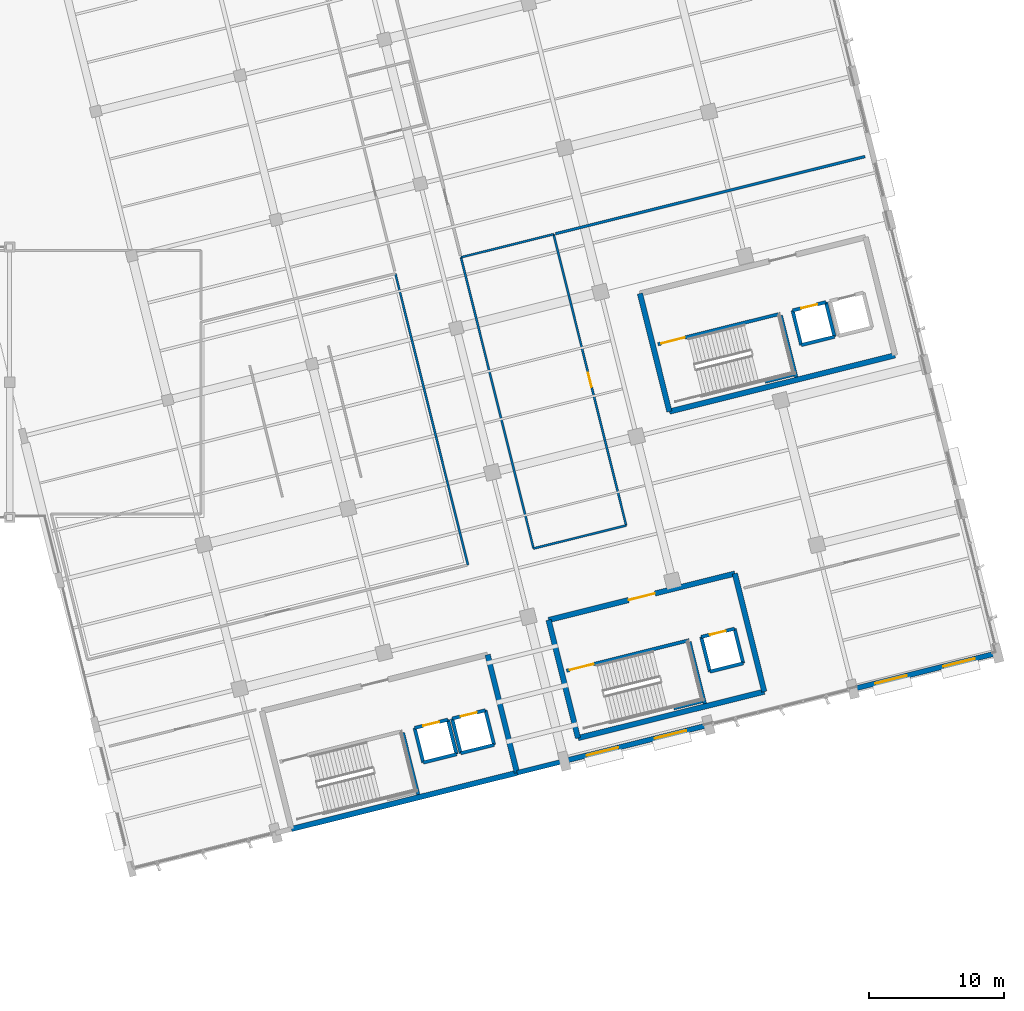
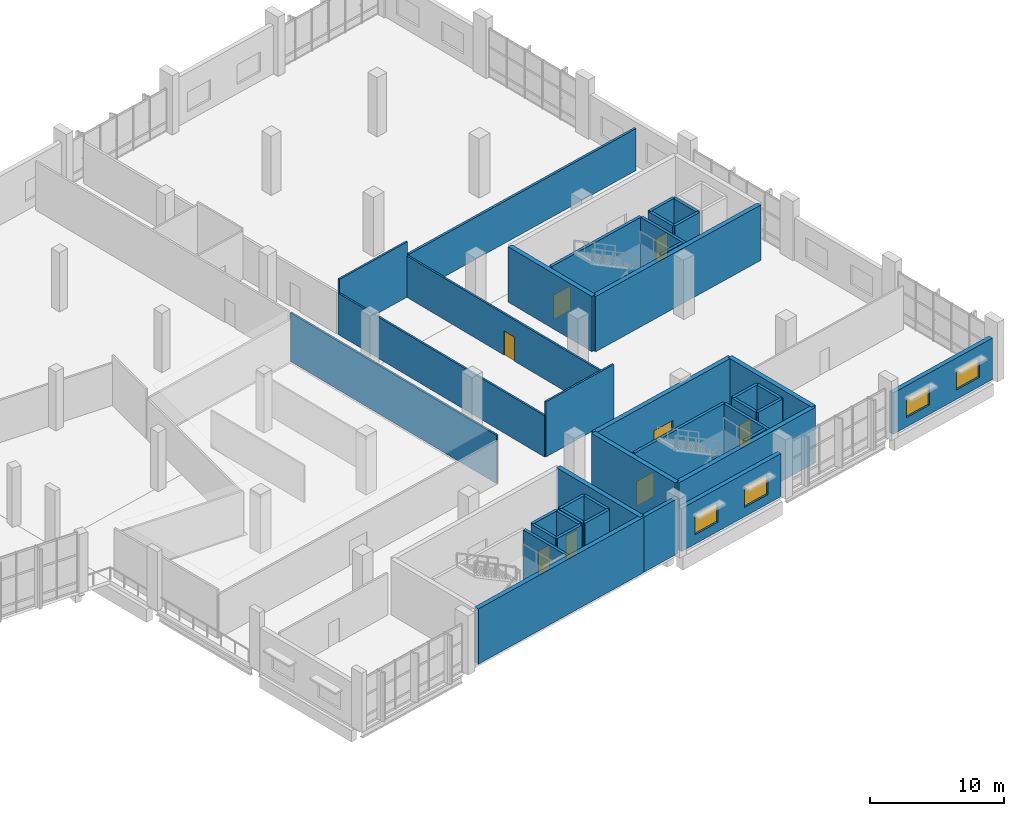
# One storey, part 144 of 176: 40 walls, 8 doors, 4 windows, 12 openings.
"""IFC4 building model written with IfcOpenShell, lengths in metres."""

from ifc_helpers import new_model, si_unit, direction, frame, frame_2d, origin, place, context, subcontext, project, spatial, rectangle, extrude, material, layer, layer_set, type_object, element, fill, save


model = new_model("IFC4")

# Units and contexts
model_context = context("Model", 3, precision=1e-05, world=origin(), true_north=direction((0.0, 1.0)))
body_context = subcontext(model_context, "Body", "Model", "MODEL_VIEW")
ifc_project = project(units=[si_unit("LENGTHUNIT", "METRE"), si_unit("AREAUNIT", "SQUARE_METRE"), si_unit("VOLUMEUNIT", "CUBIC_METRE"), si_unit("PLANEANGLEUNIT", "RADIAN"), si_unit("MASSUNIT", "GRAM", prefix="KILO")], contexts=[model_context])

# Site, building, storey
site_placement = place(None, origin())
site = spatial("IfcSite", under=ifc_project, at=site_placement, CompositionType="ELEMENT")
building_placement = place(site_placement, origin())
building = spatial("IfcBuilding", under=site, at=building_placement, Name="Khorjan Park Terminus", CompositionType="ELEMENT")
storey_placement = place(building_placement, frame((0.0, 0.0, 6.0)))
storey = spatial("IfcBuildingStorey", under=building, at=storey_placement, Name="L01", CompositionType="ELEMENT", Elevation=6.0)

# Walls
ifc_material_1 = material(Name="Concrete C50/60", Category="concrete")
ifc_layer_1 = layer(ifc_material_1, 0.4)
ifc_layer_set_1 = layer_set([ifc_layer_1], Name="Concrete C50/60")
wall_type_1 = type_object("IfcWallType", Name="CW-40", PredefinedType="SHEAR", material=ifc_layer_set_1)
wall_1_placement = place(storey_placement, frame((177.8376, 4.9514, 0.0), z_axis=(0.0, 0.0, 1.0), x_axis=(0.970295179998, 0.241924086589, 0.0)))
element("IfcWall", 1, at=wall_1_placement, inside=storey, type_object=wall_type_1, Name="Operations West Firefighting Core concrete shear wall CW-40 (L01-E1)", PredefinedType="SHEAR", context=body_context, shape_type="SweptSolid", body=[
    extrude(rectangle(XDim=17.2, YDim=0.4, at=frame_2d((8.6, 0.0))), origin(), (0.0, 0.0, 1.0), 5.05),
])
wall_2_placement = place(storey_placement, frame((194.5267, 9.1125, 0.0), z_axis=(0.0, 0.0, 1.0), x_axis=(-0.241923808098, 0.970295249435, 0.0)))
element("IfcWall", 2, at=wall_2_placement, inside=storey, type_object=wall_type_1, Name="Operations West Firefighting Core concrete shear wall CW-40 (L01-E2)", PredefinedType="SHEAR", context=body_context, shape_type="SweptSolid", body=[
    extrude(rectangle(XDim=8.9999, YDim=0.4, at=frame_2d((4.5, 0.0))), origin(), (0.0, 0.0, 1.0), 5.05),
])
wall_3_placement = place(storey_placement, frame((205.7973, 35.8328, 0.0), z_axis=(0.0, 0.0, 1.0), x_axis=(0.970295179998, 0.241924086589, 0.0)))
element("IfcWall", 3, at=wall_3_placement, inside=storey, type_object=wall_type_1, Name="Operations North-East Firefighting Core concrete shear wall CW-40 (L01-E1)", PredefinedType="SHEAR", context=body_context, shape_type="SweptSolid", body=[
    extrude(rectangle(XDim=17.2, YDim=0.4, at=frame_2d((8.6, 0.0))), origin(), (0.0, 0.0, 1.0), 5.05),
])
wall_4_placement = place(storey_placement, frame((203.62, 44.5655, 0.0), z_axis=(0.0, 0.0, 1.0), x_axis=(0.241921199913, -0.97029589973, 0.0)))
element("IfcWall", 4, at=wall_4_placement, inside=storey, type_object=wall_type_1, Name="Operations North-East Firefighting Core concrete shear wall CW-40 (L01-E4)", PredefinedType="SHEAR", context=body_context, shape_type="SweptSolid", body=[
    extrude(rectangle(XDim=9.0, YDim=0.4, at=frame_2d((4.5, 0.0))), origin(), (0.0, 0.0, 1.0), 5.05),
])
wall_5_placement = place(storey_placement, frame((199.0395, 11.6805, 0.0), z_axis=(0.0, 0.0, 1.0), x_axis=(0.970295578967, 0.241922486422, 0.0)))
element("IfcWall", 5, at=wall_5_placement, inside=storey, type_object=wall_type_1, Name="Operations Central Command Core concrete shear wall CW-40 (L01-E1)", PredefinedType="SHEAR", context=body_context, shape_type="SweptSolid", body=[
    extrude(rectangle(XDim=14.2, YDim=0.4, at=frame_2d((7.1, 0.0))), origin(), (0.0, 0.0, 1.0), 5.05),
])
wall_6_placement = place(storey_placement, frame((212.8177, 15.1158, 0.0), z_axis=(0.0, 0.0, 1.0), x_axis=(-0.241921199913, 0.97029589973, 0.0)))
element("IfcWall", 6, at=wall_6_placement, inside=storey, type_object=wall_type_1, Name="Operations Central Command Core concrete shear wall CW-40 (L01-E2)", PredefinedType="SHEAR", context=body_context, shape_type="SweptSolid", body=[
    extrude(rectangle(XDim=9.0, YDim=0.4, at=frame_2d((4.5, 0.0))), origin(), (0.0, 0.0, 1.0), 5.05),
])

# Wall, opening, door
wall_7_placement = place(storey_placement, frame((210.6404, 23.8485, 0.0), z_axis=(0.0, 0.0, 1.0), x_axis=(-0.970295578967, -0.241922486422, 0.0)))
wall_7 = element("IfcWall", 7, at=wall_7_placement, inside=storey, type_object=wall_type_1, Name="Operations Central Command Core concrete shear wall CW-40 (L01-E3)", PredefinedType="SHEAR", context=body_context, shape_type="SweptSolid", body=[
    extrude(rectangle(XDim=14.2, YDim=0.4, at=frame_2d((7.1, 0.0))), origin(), (0.0, 0.0, 1.0), 5.05),
])
opening_1_placement = place(wall_7_placement, frame((6.1, 0.0, 0.0)))
opening_1 = element("IfcOpeningElement", 8, at=opening_1_placement, cuts=wall_7, Name="Opening FD-20", PredefinedType="OPENING", context=body_context, shape_type="SweptSolid", body=[
    extrude(rectangle(XDim=2.0, YDim=2.3, at=frame_2d((1.0, 1.15))), frame((0.0, 0.21, 0.0), z_axis=(0.0, -1.0, 0.0), x_axis=(1.0, 0.0, 0.0)), (0.0, 0.0, 1.0), 0.42),
])
ifc_material_2 = material(Name="Fire-Rated Steel Double Door", Category="steel")
door_type_1 = type_object("IfcDoorType", Name="FD-20", OperationType="NOTDEFINED", PredefinedType="DOOR", material=ifc_material_2)
door_1_placement = place(opening_1_placement, origin())
door_1 = element("IfcDoor", 9, at=door_1_placement, inside=storey, type_object=door_type_1, Name="Operations Central Command Core fire-rated exit door FD-20 (L01)", OperationType="DOUBLE_DOOR_SINGLE_SWING", OverallHeight=2.3, OverallWidth=2.0, PredefinedType="DOOR", context=body_context, shape_type="SweptSolid", body=[
    extrude(rectangle(XDim=2.0, YDim=2.3, at=frame_2d((1.0, 1.15))), frame((0.0, 0.025, 0.0), z_axis=(0.0, -1.0, 0.0), x_axis=(1.0, 0.0, 0.0)), (0.0, 0.0, 1.0), 0.05),
])
fill(opening_1, door_1)

# Walls
wall_8_placement = place(storey_placement, frame((196.8622, 20.4132, 0.0), z_axis=(0.0, 0.0, 1.0), x_axis=(0.241921199913, -0.97029589973, 0.0)))
element("IfcWall", 10, at=wall_8_placement, inside=storey, type_object=wall_type_1, Name="Operations Central Command Core concrete shear wall CW-40 (L01-E4)", PredefinedType="SHEAR", context=body_context, shape_type="SweptSolid", body=[
    extrude(rectangle(XDim=9.0, YDim=0.4, at=frame_2d((4.5, 0.0))), origin(), (0.0, 0.0, 1.0), 5.05),
])
ifc_material_3 = material(Name="Pigmented Precast GRC & Concrete C40/50", Category="concrete")
ifc_layer_2 = layer(ifc_material_3, 0.35)
ifc_layer_set_2 = layer_set([ifc_layer_2], Name="Pigmented Precast GRC & Concrete C40/50")
wall_type_2 = type_object("IfcWallType", Name="EW-35", PredefinedType="STANDARD", material=ifc_layer_set_2)
wall_9_placement = place(storey_placement, frame((194.5267, 9.1125, 0.0), z_axis=(0.0, 0.0, 1.0), x_axis=(0.970297528922, 0.241914665466, 0.0)))
element("IfcWall", 11, at=wall_9_placement, inside=storey, type_object=wall_type_2, Name="External pigmented-GRC core infill wall EW-35 (EW-V5-K3P-L01-2)", PredefinedType="STANDARD", context=body_context, shape_type="SweptSolid", body=[
    extrude(rectangle(XDim=3.6, YDim=0.35, at=frame_2d((1.8, 0.0))), origin(), (0.0, 0.0, 1.0), 5.035),
])

# Wall, openings, windows
ifc_layer_3 = layer(ifc_material_3, 0.38)
ifc_layer_set_3 = layer_set([ifc_layer_3], Name="Pigmented Precast GRC & Concrete C40/50")
wall_type_3 = type_object("IfcWallType", Name="EW-38", PredefinedType="STANDARD", material=ifc_layer_set_3)
wall_10_placement = place(storey_placement, frame((198.3255, 10.0596, 0.0), z_axis=(0.0, 0.0, 1.0), x_axis=(0.970293766674, 0.241929755, 0.0)))
wall_10 = element("IfcWall", 12, at=wall_10_placement, inside=storey, type_object=wall_type_3, Name="External pigmented-GRC insulated wall EW-38 (EW-V5-S-L01-B04)", PredefinedType="STANDARD", context=body_context, shape_type="SweptSolid", body=[
    extrude(rectangle(XDim=10.37, YDim=0.38, at=frame_2d((5.185, 0.0))), origin(), (0.0, 0.0, 1.0), 3.925),
])
opening_2_placement = place(wall_10_placement, frame((1.3925, 0.0, 0.85)))
opening_2 = element("IfcOpeningElement", 13, at=opening_2_placement, cuts=wall_10, Name="Opening WN-24", PredefinedType="OPENING", context=body_context, shape_type="SweptSolid", body=[
    extrude(rectangle(XDim=2.4, YDim=1.8, at=frame_2d((1.2, 0.9))), frame((0.0, 0.2, 0.0), z_axis=(0.0, -1.0, 0.0), x_axis=(1.0, 0.0, 0.0)), (0.0, 0.0, 1.0), 0.4),
])
opening_3_placement = place(wall_10_placement, frame((6.5775, 0.0, 0.85)))
opening_3 = element("IfcOpeningElement", 14, at=opening_3_placement, cuts=wall_10, Name="Opening WN-24", PredefinedType="OPENING", context=body_context, shape_type="SweptSolid", body=[
    extrude(rectangle(XDim=2.4, YDim=1.8, at=frame_2d((1.2, 0.9))), frame((0.0, 0.2, 0.0), z_axis=(0.0, -1.0, 0.0), x_axis=(1.0, 0.0, 0.0)), (0.0, 0.0, 1.0), 0.4),
])
ifc_material_4 = material(Name="Anodized Bronze Aluminium & Low-E Glass", Category="aluminium")
window_type = type_object("IfcWindowType", Name="WN-24", PartitioningType="SINGLE_PANEL", PredefinedType="WINDOW", material=ifc_material_4)
window_1_placement = place(opening_2_placement, origin())
window_1 = element("IfcWindow", 15, at=window_1_placement, inside=storey, type_object=window_type, Name="Solar-control exterior window WN-24 (WN-EW-V5-S-L01-B04-1)", OverallHeight=1.8, OverallWidth=2.4, PartitioningType="SINGLE_PANEL", PredefinedType="WINDOW", context=body_context, shape_type="SweptSolid", body=[
    extrude(rectangle(XDim=2.4, YDim=1.8, at=frame_2d((1.2, 0.9))), frame((0.0, 0.03, 0.0), z_axis=(0.0, -1.0, 0.0), x_axis=(1.0, 0.0, 0.0)), (0.0, 0.0, 1.0), 0.06),
])
fill(opening_2, window_1)
window_2_placement = place(opening_3_placement, origin())
window_2 = element("IfcWindow", 16, at=window_2_placement, inside=storey, type_object=window_type, Name="Solar-control exterior window WN-24 (WN-EW-V5-S-L01-B04-2)", OverallHeight=1.8, OverallWidth=2.4, PartitioningType="SINGLE_PANEL", PredefinedType="WINDOW", context=body_context, shape_type="SweptSolid", body=[
    extrude(rectangle(XDim=2.4, YDim=1.8, at=frame_2d((1.2, 0.9))), frame((0.0, 0.03, 0.0), z_axis=(0.0, -1.0, 0.0), x_axis=(1.0, 0.0, 0.0)), (0.0, 0.0, 1.0), 0.06),
])
fill(opening_3, window_2)

wall_11_placement = place(storey_placement, frame((219.6717, 15.3819, 0.0), z_axis=(0.0, 0.0, 1.0), x_axis=(0.970298281521, 0.241911646842, 0.0)))
wall_11 = element("IfcWall", 17, at=wall_11_placement, inside=storey, type_object=wall_type_3, Name="External pigmented-GRC insulated wall EW-38 (EW-V5-S-L01-B06)", PredefinedType="STANDARD", context=body_context, shape_type="SweptSolid", body=[
    extrude(rectangle(XDim=10.3707, YDim=0.38, at=frame_2d((5.1853, 0.0))), origin(), (0.0, 0.0, 1.0), 3.775),
])
opening_4_placement = place(wall_11_placement, frame((1.3927, 0.0, 0.85)))
opening_4 = element("IfcOpeningElement", 18, at=opening_4_placement, cuts=wall_11, Name="Opening WN-24", PredefinedType="OPENING", context=body_context, shape_type="SweptSolid", body=[
    extrude(rectangle(XDim=2.4, YDim=1.8, at=frame_2d((1.2, 0.9))), frame((0.0, 0.2, 0.0), z_axis=(0.0, -1.0, 0.0), x_axis=(1.0, 0.0, 0.0)), (0.0, 0.0, 1.0), 0.4),
])
opening_5_placement = place(wall_11_placement, frame((6.578, 0.0, 0.85)))
opening_5 = element("IfcOpeningElement", 19, at=opening_5_placement, cuts=wall_11, Name="Opening WN-24", PredefinedType="OPENING", context=body_context, shape_type="SweptSolid", body=[
    extrude(rectangle(XDim=2.4, YDim=1.8, at=frame_2d((1.2, 0.9))), frame((0.0, 0.2, 0.0), z_axis=(0.0, -1.0, 0.0), x_axis=(1.0, 0.0, 0.0)), (0.0, 0.0, 1.0), 0.4),
])
window_3_placement = place(opening_4_placement, origin())
window_3 = element("IfcWindow", 20, at=window_3_placement, inside=storey, type_object=window_type, Name="Solar-control exterior window WN-24 (WN-EW-V5-S-L01-B06-1)", OverallHeight=1.8, OverallWidth=2.4, PartitioningType="SINGLE_PANEL", PredefinedType="WINDOW", context=body_context, shape_type="SweptSolid", body=[
    extrude(rectangle(XDim=2.4, YDim=1.8, at=frame_2d((1.2, 0.9))), frame((0.0, 0.03, 0.0), z_axis=(0.0, -1.0, 0.0), x_axis=(1.0, 0.0, 0.0)), (0.0, 0.0, 1.0), 0.06),
])
fill(opening_4, window_3)
window_4_placement = place(opening_5_placement, origin())
window_4 = element("IfcWindow", 21, at=window_4_placement, inside=storey, type_object=window_type, Name="Solar-control exterior window WN-24 (WN-EW-V5-S-L01-B06-2)", OverallHeight=1.8, OverallWidth=2.4, PartitioningType="SINGLE_PANEL", PredefinedType="WINDOW", context=body_context, shape_type="SweptSolid", body=[
    extrude(rectangle(XDim=2.4, YDim=1.8, at=frame_2d((1.2, 0.9))), frame((0.0, 0.03, 0.0), z_axis=(0.0, -1.0, 0.0), x_axis=(1.0, 0.0, 0.0)), (0.0, 0.0, 1.0), 0.06),
])
fill(opening_5, window_4)

# Wall
ifc_material_5 = material(Name="Insulated Metal-Stud Acoustic Partition")
ifc_layer_4 = layer(ifc_material_5, 0.16)
ifc_layer_set_4 = layer_set([ifc_layer_4], Name="Insulated Metal-Stud Acoustic Partition")
wall_type_4 = type_object("IfcWallType", Name="PT-16", PredefinedType="PARTITIONING", material=ifc_layer_set_4)
wall_12_placement = place(storey_placement, frame((185.5277, 46.0321, 0.0), z_axis=(0.0, 0.0, 1.0), x_axis=(0.241924022604, -0.970295195952, 0.0)))
element("IfcWall", 22, at=wall_12_placement, inside=storey, type_object=wall_type_4, Name="Interior acoustic partition PT-16 (L01-CNT)", PredefinedType="PARTITIONING", context=body_context, shape_type="SweptSolid", body=[
    extrude(rectangle(XDim=22.1999, YDim=0.16, at=frame_2d((11.0999, 0.0))), origin(), (0.0, 0.0, 1.0), 4.425),
])

# Wall, opening, door
wall_13_placement = place(storey_placement, frame((197.2295, 48.9497, 0.0), z_axis=(0.0, 0.0, 1.0), x_axis=(0.241924022604, -0.970295195952, 0.0)))
wall_13 = element("IfcWall", 23, at=wall_13_placement, inside=storey, type_object=wall_type_4, Name="Interior acoustic partition PT-16 (L01-TRN)", PredefinedType="PARTITIONING", context=body_context, shape_type="SweptSolid", body=[
    extrude(rectangle(XDim=22.1999, YDim=0.16, at=frame_2d((11.0999, 0.0))), origin(), (0.0, 0.0, 1.0), 3.775),
])
opening_6_placement = place(wall_13_placement, frame((10.55, 0.0, 0.0)))
opening_6 = element("IfcOpeningElement", 24, at=opening_6_placement, cuts=wall_13, Name="Opening ID-11", PredefinedType="OPENING", context=body_context, shape_type="SweptSolid", body=[
    extrude(rectangle(XDim=1.1, YDim=2.2, at=frame_2d((0.55, 1.1))), frame((0.0, 0.09, 0.0), z_axis=(0.0, -1.0, 0.0), x_axis=(1.0, 0.0, 0.0)), (0.0, 0.0, 1.0), 0.18),
])
ifc_material_6 = material(Name="Acoustic Hardwood Single Door", Category="wood")
door_type_2 = type_object("IfcDoorType", Name="ID-11", OperationType="NOTDEFINED", PredefinedType="DOOR", material=ifc_material_6)
door_2_placement = place(opening_6_placement, origin())
door_2 = element("IfcDoor", 25, at=door_2_placement, inside=storey, type_object=door_type_2, Name="Interior door ID-11 (L01-TRN)", OperationType="SINGLE_SWING_LEFT", OverallHeight=2.2, OverallWidth=1.1, PredefinedType="DOOR", context=body_context, shape_type="SweptSolid", body=[
    extrude(rectangle(XDim=1.1, YDim=2.2, at=frame_2d((0.55, 1.1))), frame((0.0, 0.025, 0.0), z_axis=(0.0, -1.0, 0.0), x_axis=(1.0, 0.0, 0.0)), (0.0, 0.0, 1.0), 0.05),
])
fill(opening_6, door_2)

# Walls
wall_14_placement = place(storey_placement, frame((202.6002, 27.4092, 0.0), z_axis=(0.0, 0.0, 1.0), x_axis=(-0.970294782603, -0.241925680435, 0.0)))
element("IfcWall", 26, at=wall_14_placement, inside=storey, type_object=wall_type_4, Name="Interior acoustic partition PT-16 (L01-TRN)", PredefinedType="PARTITIONING", context=body_context, shape_type="SweptSolid", body=[
    extrude(rectangle(XDim=7.06, YDim=0.16, at=frame_2d((3.53, 0.0))), origin(), (0.0, 0.0, 1.0), 5.03),
])
wall_15_placement = place(storey_placement, frame((195.7499, 25.7012, 0.0), z_axis=(0.0, 0.0, 1.0), x_axis=(-0.241924022604, 0.970295195952, 0.0)))
element("IfcWall", 27, at=wall_15_placement, inside=storey, type_object=wall_type_4, Name="Interior acoustic partition PT-16 (L01-TRN)", PredefinedType="PARTITIONING", context=body_context, shape_type="SweptSolid", body=[
    extrude(rectangle(XDim=22.1999, YDim=0.16, at=frame_2d((11.0999, 0.0))), origin(), (0.0, 0.0, 1.0), 3.775),
])
wall_16_placement = place(storey_placement, frame((190.3792, 47.2417, 0.0), z_axis=(0.0, 0.0, 1.0), x_axis=(0.970294782603, 0.241925680435, 0.0)))
element("IfcWall", 28, at=wall_16_placement, inside=storey, type_object=wall_type_4, Name="Interior acoustic partition PT-16 (L01-TRN)", PredefinedType="PARTITIONING", context=body_context, shape_type="SweptSolid", body=[
    extrude(rectangle(XDim=7.06, YDim=0.16, at=frame_2d((3.53, 0.0))), origin(), (0.0, 0.0, 1.0), 5.04),
])
ifc_material_7 = material(Name="Fire-Rated Acoustic Masonry & Drywall", Category="masonry")
ifc_layer_5 = layer(ifc_material_7, 0.2)
ifc_layer_set_5 = layer_set([ifc_layer_5], Name="Fire-Rated Acoustic Masonry & Drywall")
wall_type_5 = type_object("IfcWallType", Name="PT-20", PredefinedType="PARTITIONING", material=ifc_layer_set_5)
wall_17_placement = place(storey_placement, frame((220.2643, 54.6929, 0.0), z_axis=(0.0, 0.0, 1.0), x_axis=(-0.970295347685, -0.241923414039, 0.0)))
element("IfcWall", 29, at=wall_17_placement, inside=storey, type_object=wall_type_5, Name="Interior acoustic partition PT-20 (L01-AHU1)", PredefinedType="PARTITIONING", context=body_context, shape_type="SweptSolid", body=[
    extrude(rectangle(XDim=23.6, YDim=0.2, at=frame_2d((11.8, 0.0))), origin(), (0.0, 0.0, 1.0), 3.835),
])
ifc_material_8 = material(Name="Concrete C40/50", Category="concrete")
ifc_layer_6 = layer(ifc_material_8, 0.25)
ifc_layer_set_6 = layer_set([ifc_layer_6], Name="Concrete C40/50")
wall_type_6 = type_object("IfcWallType", Name="SW-25", PredefinedType="SOLIDWALL", material=ifc_layer_set_6)
wall_18_placement = place(storey_placement, frame((187.5883, 9.8663, 0.0), z_axis=(0.0, 0.0, 1.0), x_axis=(0.97029284861, 0.241933436994, 0.0)))
element("IfcWall", 30, at=wall_18_placement, inside=storey, type_object=wall_type_6, Name="Lift L05 concrete shaft wall SW-25 (L01-1)", PredefinedType="SOLIDWALL", context=body_context, shape_type="SweptSolid", body=[
    extrude(rectangle(XDim=2.54, YDim=0.25, at=frame_2d((1.27, 0.0))), origin(), (0.0, 0.0, 1.0), 5.05),
])
wall_19_placement = place(storey_placement, frame((190.0528, 10.4808, 0.0), z_axis=(0.0, 0.0, 1.0), x_axis=(-0.241938414856, 0.970291607413, 0.0)))
element("IfcWall", 31, at=wall_19_placement, inside=storey, type_object=wall_type_6, Name="Lift L05 concrete shaft wall SW-25 (L01-2)", PredefinedType="SOLIDWALL", context=body_context, shape_type="SweptSolid", body=[
    extrude(rectangle(XDim=2.6399, YDim=0.25, at=frame_2d((1.3199, 0.0))), origin(), (0.0, 0.0, 1.0), 5.05),
])

# Wall, opening, door
wall_20_placement = place(storey_placement, frame((189.4141, 13.0423, 0.0), z_axis=(0.0, 0.0, 1.0), x_axis=(-0.97029284861, -0.241933436994, 0.0)))
wall_20 = element("IfcWall", 32, at=wall_20_placement, inside=storey, type_object=wall_type_6, Name="Lift L05 concrete shaft wall SW-25 (L01-3)", PredefinedType="SOLIDWALL", context=body_context, shape_type="SweptSolid", body=[
    extrude(rectangle(XDim=2.54, YDim=0.25, at=frame_2d((1.27, 0.0))), origin(), (0.0, 0.0, 1.0), 5.05),
])
opening_7_placement = place(wall_20_placement, frame((0.67, 0.0, 0.0)))
opening_7 = element("IfcOpeningElement", 33, at=opening_7_placement, cuts=wall_20, Name="Opening LD-12", PredefinedType="OPENING", context=body_context, shape_type="SweptSolid", body=[
    extrude(rectangle(XDim=1.2, YDim=2.2, at=frame_2d((0.6, 1.1))), frame((0.0, 0.135, 0.0), z_axis=(0.0, -1.0, 0.0), x_axis=(1.0, 0.0, 0.0)), (0.0, 0.0, 1.0), 0.27),
])
ifc_material_9 = material(Name="Stainless-Steel Lift Landing Sliding Door", Category="steel")
door_type_3 = type_object("IfcDoorType", Name="LD-12", OperationType="NOTDEFINED", PredefinedType="DOOR", material=ifc_material_9)
door_3_placement = place(opening_7_placement, origin())
door_3 = element("IfcDoor", 34, at=door_3_placement, inside=storey, type_object=door_type_3, Name="Lift L05 sliding landing door LD-12 (L01)", OperationType="SLIDING_TO_LEFT", OverallHeight=2.2, OverallWidth=1.2, PredefinedType="DOOR", context=body_context, shape_type="SweptSolid", body=[
    extrude(rectangle(XDim=1.2, YDim=2.2, at=frame_2d((0.6, 1.1))), frame((0.0, 0.025, 0.0), z_axis=(0.0, -1.0, 0.0), x_axis=(1.0, 0.0, 0.0)), (0.0, 0.0, 1.0), 0.05),
])
fill(opening_7, door_3)

# Walls
wall_21_placement = place(storey_placement, frame((186.9496, 12.4278, 0.0), z_axis=(0.0, 0.0, 1.0), x_axis=(0.241938414856, -0.970291607413, 0.0)))
element("IfcWall", 35, at=wall_21_placement, inside=storey, type_object=wall_type_6, Name="Lift L05 concrete shaft wall SW-25 (L01-4)", PredefinedType="SOLIDWALL", context=body_context, shape_type="SweptSolid", body=[
    extrude(rectangle(XDim=2.6399, YDim=0.25, at=frame_2d((1.3199, 0.0))), origin(), (0.0, 0.0, 1.0), 5.05),
])
wall_22_placement = place(storey_placement, frame((190.3633, 10.5582, 0.0), z_axis=(0.0, 0.0, 1.0), x_axis=(0.97029284861, 0.241933436994, 0.0)))
element("IfcWall", 36, at=wall_22_placement, inside=storey, type_object=wall_type_6, Name="Lift L06 concrete shaft wall SW-25 (L01-1)", PredefinedType="SOLIDWALL", context=body_context, shape_type="SweptSolid", body=[
    extrude(rectangle(XDim=2.54, YDim=0.25, at=frame_2d((1.27, 0.0))), origin(), (0.0, 0.0, 1.0), 5.05),
])
wall_23_placement = place(storey_placement, frame((192.8278, 11.1727, 0.0), z_axis=(0.0, 0.0, 1.0), x_axis=(-0.241938414856, 0.970291607413, 0.0)))
element("IfcWall", 37, at=wall_23_placement, inside=storey, type_object=wall_type_6, Name="Lift L06 concrete shaft wall SW-25 (L01-2)", PredefinedType="SOLIDWALL", context=body_context, shape_type="SweptSolid", body=[
    extrude(rectangle(XDim=2.6399, YDim=0.25, at=frame_2d((1.3199, 0.0))), origin(), (0.0, 0.0, 1.0), 5.05),
])

# Wall, opening, door
wall_24_placement = place(storey_placement, frame((192.1891, 13.7342, 0.0), z_axis=(0.0, 0.0, 1.0), x_axis=(-0.97029284861, -0.241933436994, 0.0)))
wall_24 = element("IfcWall", 38, at=wall_24_placement, inside=storey, type_object=wall_type_6, Name="Lift L06 concrete shaft wall SW-25 (L01-3)", PredefinedType="SOLIDWALL", context=body_context, shape_type="SweptSolid", body=[
    extrude(rectangle(XDim=2.54, YDim=0.25, at=frame_2d((1.27, 0.0))), origin(), (0.0, 0.0, 1.0), 5.05),
])
opening_8_placement = place(wall_24_placement, frame((0.67, 0.0, 0.0)))
opening_8 = element("IfcOpeningElement", 39, at=opening_8_placement, cuts=wall_24, Name="Opening LD-12", PredefinedType="OPENING", context=body_context, shape_type="SweptSolid", body=[
    extrude(rectangle(XDim=1.2, YDim=2.2, at=frame_2d((0.6, 1.1))), frame((0.0, 0.135, 0.0), z_axis=(0.0, -1.0, 0.0), x_axis=(1.0, 0.0, 0.0)), (0.0, 0.0, 1.0), 0.27),
])
door_4_placement = place(opening_8_placement, origin())
door_4 = element("IfcDoor", 40, at=door_4_placement, inside=storey, type_object=door_type_3, Name="Lift L06 sliding landing door LD-12 (L01)", OperationType="SLIDING_TO_RIGHT", OverallHeight=2.2, OverallWidth=1.2, PredefinedType="DOOR", context=body_context, shape_type="SweptSolid", body=[
    extrude(rectangle(XDim=1.2, YDim=2.2, at=frame_2d((0.6, 1.1))), frame((0.0, 0.025, 0.0), z_axis=(0.0, -1.0, 0.0), x_axis=(1.0, 0.0, 0.0)), (0.0, 0.0, 1.0), 0.05),
])
fill(opening_8, door_4)

# Walls
wall_25_placement = place(storey_placement, frame((189.7246, 13.1197, 0.0), z_axis=(0.0, 0.0, 1.0), x_axis=(0.241938414856, -0.970291607413, 0.0)))
element("IfcWall", 41, at=wall_25_placement, inside=storey, type_object=wall_type_6, Name="Lift L06 concrete shaft wall SW-25 (L01-4)", PredefinedType="SOLIDWALL", context=body_context, shape_type="SweptSolid", body=[
    extrude(rectangle(XDim=2.6399, YDim=0.25, at=frame_2d((1.3199, 0.0))), origin(), (0.0, 0.0, 1.0), 5.05),
])
wall_26_placement = place(storey_placement, frame((215.548, 40.7477, 0.0), z_axis=(0.0, 0.0, 1.0), x_axis=(0.97029284861, 0.241933436994, 0.0)))
element("IfcWall", 42, at=wall_26_placement, inside=storey, type_object=wall_type_6, Name="Lift L07 concrete shaft wall SW-25 (L01-1)", PredefinedType="SOLIDWALL", context=body_context, shape_type="SweptSolid", body=[
    extrude(rectangle(XDim=2.54, YDim=0.25, at=frame_2d((1.27, 0.0))), origin(), (0.0, 0.0, 1.0), 5.05),
])
wall_27_placement = place(storey_placement, frame((218.0125, 41.3622, 0.0), z_axis=(0.0, 0.0, 1.0), x_axis=(-0.241938414856, 0.970291607413, 0.0)))
element("IfcWall", 43, at=wall_27_placement, inside=storey, type_object=wall_type_6, Name="Lift L07 concrete shaft wall SW-25 (L01-2)", PredefinedType="SOLIDWALL", context=body_context, shape_type="SweptSolid", body=[
    extrude(rectangle(XDim=2.6399, YDim=0.25, at=frame_2d((1.3199, 0.0))), origin(), (0.0, 0.0, 1.0), 5.05),
])

# Wall, opening, door
wall_28_placement = place(storey_placement, frame((217.3738, 43.9237, 0.0), z_axis=(0.0, 0.0, 1.0), x_axis=(-0.97029284861, -0.241933436994, 0.0)))
wall_28 = element("IfcWall", 44, at=wall_28_placement, inside=storey, type_object=wall_type_6, Name="Lift L07 concrete shaft wall SW-25 (L01-3)", PredefinedType="SOLIDWALL", context=body_context, shape_type="SweptSolid", body=[
    extrude(rectangle(XDim=2.54, YDim=0.25, at=frame_2d((1.27, 0.0))), origin(), (0.0, 0.0, 1.0), 5.05),
])
opening_9_placement = place(wall_28_placement, frame((0.67, 0.0, 0.0)))
opening_9 = element("IfcOpeningElement", 45, at=opening_9_placement, cuts=wall_28, Name="Opening LD-12", PredefinedType="OPENING", context=body_context, shape_type="SweptSolid", body=[
    extrude(rectangle(XDim=1.2, YDim=2.2, at=frame_2d((0.6, 1.1))), frame((0.0, 0.135, 0.0), z_axis=(0.0, -1.0, 0.0), x_axis=(1.0, 0.0, 0.0)), (0.0, 0.0, 1.0), 0.27),
])
door_5_placement = place(opening_9_placement, origin())
door_5 = element("IfcDoor", 46, at=door_5_placement, inside=storey, type_object=door_type_3, Name="Lift L07 sliding landing door LD-12 (L01)", OperationType="SLIDING_TO_LEFT", OverallHeight=2.2, OverallWidth=1.2, PredefinedType="DOOR", context=body_context, shape_type="SweptSolid", body=[
    extrude(rectangle(XDim=1.2, YDim=2.2, at=frame_2d((0.6, 1.1))), frame((0.0, 0.025, 0.0), z_axis=(0.0, -1.0, 0.0), x_axis=(1.0, 0.0, 0.0)), (0.0, 0.0, 1.0), 0.05),
])
fill(opening_9, door_5)

# Walls
wall_29_placement = place(storey_placement, frame((214.9093, 43.3092, 0.0), z_axis=(0.0, 0.0, 1.0), x_axis=(0.241938414856, -0.970291607413, 0.0)))
element("IfcWall", 47, at=wall_29_placement, inside=storey, type_object=wall_type_6, Name="Lift L07 concrete shaft wall SW-25 (L01-4)", PredefinedType="SOLIDWALL", context=body_context, shape_type="SweptSolid", body=[
    extrude(rectangle(XDim=2.6399, YDim=0.25, at=frame_2d((1.3199, 0.0))), origin(), (0.0, 0.0, 1.0), 5.05),
])
wall_30_placement = place(storey_placement, frame((208.7902, 16.5954, 0.0), z_axis=(0.0, 0.0, 1.0), x_axis=(0.97029284861, 0.241933436994, 0.0)))
element("IfcWall", 48, at=wall_30_placement, inside=storey, type_object=wall_type_6, Name="Lift L12 concrete shaft wall SW-25 (L01-1)", PredefinedType="SOLIDWALL", context=body_context, shape_type="SweptSolid", body=[
    extrude(rectangle(XDim=2.54, YDim=0.25, at=frame_2d((1.27, 0.0))), origin(), (0.0, 0.0, 1.0), 5.05),
])
wall_31_placement = place(storey_placement, frame((211.2547, 17.2099, 0.0), z_axis=(0.0, 0.0, 1.0), x_axis=(-0.241938414856, 0.970291607413, 0.0)))
element("IfcWall", 49, at=wall_31_placement, inside=storey, type_object=wall_type_6, Name="Lift L12 concrete shaft wall SW-25 (L01-2)", PredefinedType="SOLIDWALL", context=body_context, shape_type="SweptSolid", body=[
    extrude(rectangle(XDim=2.6399, YDim=0.25, at=frame_2d((1.3199, 0.0))), origin(), (0.0, 0.0, 1.0), 5.05),
])

# Wall, opening, door
wall_32_placement = place(storey_placement, frame((210.616, 19.7714, 0.0), z_axis=(0.0, 0.0, 1.0), x_axis=(-0.97029284861, -0.241933436994, 0.0)))
wall_32 = element("IfcWall", 50, at=wall_32_placement, inside=storey, type_object=wall_type_6, Name="Lift L12 concrete shaft wall SW-25 (L01-3)", PredefinedType="SOLIDWALL", context=body_context, shape_type="SweptSolid", body=[
    extrude(rectangle(XDim=2.54, YDim=0.25, at=frame_2d((1.27, 0.0))), origin(), (0.0, 0.0, 1.0), 5.05),
])
opening_10_placement = place(wall_32_placement, frame((0.67, 0.0, 0.0)))
opening_10 = element("IfcOpeningElement", 51, at=opening_10_placement, cuts=wall_32, Name="Opening LD-12", PredefinedType="OPENING", context=body_context, shape_type="SweptSolid", body=[
    extrude(rectangle(XDim=1.2, YDim=2.2, at=frame_2d((0.6, 1.1))), frame((0.0, 0.135, 0.0), z_axis=(0.0, -1.0, 0.0), x_axis=(1.0, 0.0, 0.0)), (0.0, 0.0, 1.0), 0.27),
])
door_6_placement = place(opening_10_placement, origin())
door_6 = element("IfcDoor", 52, at=door_6_placement, inside=storey, type_object=door_type_3, Name="Lift L12 sliding landing door LD-12 (L01)", OperationType="SLIDING_TO_LEFT", OverallHeight=2.2, OverallWidth=1.2, PredefinedType="DOOR", context=body_context, shape_type="SweptSolid", body=[
    extrude(rectangle(XDim=1.2, YDim=2.2, at=frame_2d((0.6, 1.1))), frame((0.0, 0.025, 0.0), z_axis=(0.0, -1.0, 0.0), x_axis=(1.0, 0.0, 0.0)), (0.0, 0.0, 1.0), 0.05),
])
fill(opening_10, door_6)

# Walls
wall_33_placement = place(storey_placement, frame((208.1515, 19.1569, 0.0), z_axis=(0.0, 0.0, 1.0), x_axis=(0.241938414856, -0.970291607413, 0.0)))
element("IfcWall", 53, at=wall_33_placement, inside=storey, type_object=wall_type_6, Name="Lift L12 concrete shaft wall SW-25 (L01-4)", PredefinedType="SOLIDWALL", context=body_context, shape_type="SweptSolid", body=[
    extrude(rectangle(XDim=2.6399, YDim=0.25, at=frame_2d((1.3199, 0.0))), origin(), (0.0, 0.0, 1.0), 5.05),
])
wall_34_placement = place(storey_placement, frame((187.2253, 7.4981, 0.0), z_axis=(0.0, 0.0, 1.0), x_axis=(-0.241911120435, 0.970298412763, 0.0)))
element("IfcWall", 54, at=wall_34_placement, inside=storey, type_object=wall_type_6, Name="Operations West Firefighting Core stairwell end bearing wall SW-25 (L01)", PredefinedType="SOLIDWALL", context=body_context, shape_type="SweptSolid", body=[
    extrude(rectangle(XDim=4.71, YDim=0.25, at=frame_2d((2.355, 0.0))), origin(), (0.0, 0.0, 1.0), 5.03),
])

# Wall, opening, door
wall_35_placement = place(storey_placement, frame((204.9479, 40.8102, 0.0), z_axis=(0.0, 0.0, 1.0), x_axis=(0.970297151331, 0.241916179943, 0.0)))
wall_35 = element("IfcWall", 55, at=wall_35_placement, inside=storey, type_object=wall_type_6, Name="Operations North-East Firefighting Core structural stairwell wall SW-25 (L01)", PredefinedType="SOLIDWALL", context=body_context, shape_type="SweptSolid", body=[
    extrude(rectangle(XDim=9.345, YDim=0.25, at=frame_2d((4.6725, 0.0))), origin(), (0.0, 0.0, 1.0), 5.03),
])
opening_11_placement = place(wall_35_placement, frame((0.25, 0.0, 0.0)))
opening_11 = element("IfcOpeningElement", 56, at=opening_11_placement, cuts=wall_35, Name="Opening FD-18", PredefinedType="OPENING", context=body_context, shape_type="SweptSolid", body=[
    extrude(rectangle(XDim=1.8, YDim=2.25, at=frame_2d((0.9, 1.125))), frame((0.0, 0.135, 0.0), z_axis=(0.0, -1.0, 0.0), x_axis=(1.0, 0.0, 0.0)), (0.0, 0.0, 1.0), 0.27),
])
door_type_4 = type_object("IfcDoorType", Name="FD-18", OperationType="NOTDEFINED", PredefinedType="DOOR", material=ifc_material_2)
door_7_placement = place(opening_11_placement, origin())
door_7 = element("IfcDoor", 57, at=door_7_placement, inside=storey, type_object=door_type_4, Name="Operations North-East Firefighting Core stairwell fire door FD-18 (L01)", OperationType="DOUBLE_DOOR_SINGLE_SWING", OverallHeight=2.25, OverallWidth=1.8, PredefinedType="DOOR", context=body_context, shape_type="SweptSolid", body=[
    extrude(rectangle(XDim=1.8, YDim=2.25, at=frame_2d((0.9, 1.125))), frame((0.0, 0.025, 0.0), z_axis=(0.0, -1.0, 0.0), x_axis=(1.0, 0.0, 0.0)), (0.0, 0.0, 1.0), 0.05),
])
fill(opening_11, door_7)

# Walls
wall_36_placement = place(storey_placement, frame((215.185, 38.3795, 0.0), z_axis=(0.0, 0.0, 1.0), x_axis=(-0.241911120435, 0.970298412763, 0.0)))
element("IfcWall", 58, at=wall_36_placement, inside=storey, type_object=wall_type_6, Name="Operations North-East Firefighting Core stairwell end bearing wall SW-25 (L01)", PredefinedType="SOLIDWALL", context=body_context, shape_type="SweptSolid", body=[
    extrude(rectangle(XDim=4.71, YDim=0.25, at=frame_2d((2.355, 0.0))), origin(), (0.0, 0.0, 1.0), 5.03),
])
wall_37_placement = place(storey_placement, frame((212.8747, 38.0354, 0.0), z_axis=(0.0, 0.0, 1.0), x_axis=(0.97029738597, 0.241915238833, 0.0)))
element("IfcWall", 59, at=wall_37_placement, inside=storey, type_object=wall_type_6, Name="Operations North-East Firefighting Core half-landing bearing wall SW-25 (L01)", PredefinedType="SOLIDWALL", context=body_context, shape_type="SweptSolid", body=[
    extrude(rectangle(XDim=2.1999, YDim=0.25, at=frame_2d((1.0999, 0.0))), origin(), (0.0, 0.0, 1.0), 5.03),
])

# Wall, opening, door
wall_38_placement = place(storey_placement, frame((198.1901, 16.6579, 0.0), z_axis=(0.0, 0.0, 1.0), x_axis=(0.970297151331, 0.241916179943, 0.0)))
wall_38 = element("IfcWall", 60, at=wall_38_placement, inside=storey, type_object=wall_type_6, Name="Operations Central Command Core structural stairwell wall SW-25 (L01)", PredefinedType="SOLIDWALL", context=body_context, shape_type="SweptSolid", body=[
    extrude(rectangle(XDim=9.345, YDim=0.25, at=frame_2d((4.6725, 0.0))), origin(), (0.0, 0.0, 1.0), 5.03),
])
opening_12_placement = place(wall_38_placement, frame((0.25, 0.0, 0.0)))
opening_12 = element("IfcOpeningElement", 61, at=opening_12_placement, cuts=wall_38, Name="Opening FD-18", PredefinedType="OPENING", context=body_context, shape_type="SweptSolid", body=[
    extrude(rectangle(XDim=1.8, YDim=2.25, at=frame_2d((0.9, 1.125))), frame((0.0, 0.135, 0.0), z_axis=(0.0, -1.0, 0.0), x_axis=(1.0, 0.0, 0.0)), (0.0, 0.0, 1.0), 0.27),
])
door_8_placement = place(opening_12_placement, origin())
door_8 = element("IfcDoor", 62, at=door_8_placement, inside=storey, type_object=door_type_4, Name="Operations Central Command Core stairwell fire door FD-18 (L01)", OperationType="DOUBLE_DOOR_SINGLE_SWING", OverallHeight=2.25, OverallWidth=1.8, PredefinedType="DOOR", context=body_context, shape_type="SweptSolid", body=[
    extrude(rectangle(XDim=1.8, YDim=2.25, at=frame_2d((0.9, 1.125))), frame((0.0, 0.025, 0.0), z_axis=(0.0, -1.0, 0.0), x_axis=(1.0, 0.0, 0.0)), (0.0, 0.0, 1.0), 0.05),
])
fill(opening_12, door_8)

# Walls
wall_39_placement = place(storey_placement, frame((208.4272, 14.2272, 0.0), z_axis=(0.0, 0.0, 1.0), x_axis=(-0.241911120435, 0.970298412763, 0.0)))
element("IfcWall", 63, at=wall_39_placement, inside=storey, type_object=wall_type_6, Name="Operations Central Command Core stairwell end bearing wall SW-25 (L01)", PredefinedType="SOLIDWALL", context=body_context, shape_type="SweptSolid", body=[
    extrude(rectangle(XDim=4.71, YDim=0.25, at=frame_2d((2.355, 0.0))), origin(), (0.0, 0.0, 1.0), 5.03),
])
wall_40_placement = place(storey_placement, frame((206.1169, 13.8831, 0.0), z_axis=(0.0, 0.0, 1.0), x_axis=(0.97029738597, 0.241915238833, 0.0)))
element("IfcWall", 64, at=wall_40_placement, inside=storey, type_object=wall_type_6, Name="Operations Central Command Core half-landing bearing wall SW-25 (L01)", PredefinedType="SOLIDWALL", context=body_context, shape_type="SweptSolid", body=[
    extrude(rectangle(XDim=2.1999, YDim=0.25, at=frame_2d((1.0999, 0.0))), origin(), (0.0, 0.0, 1.0), 5.03),
])

save(model, "model.ifc")
